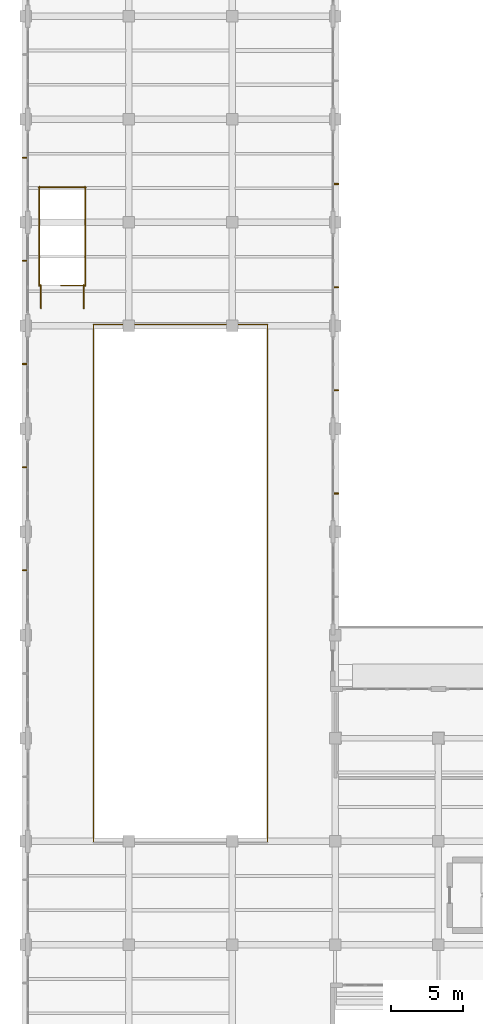
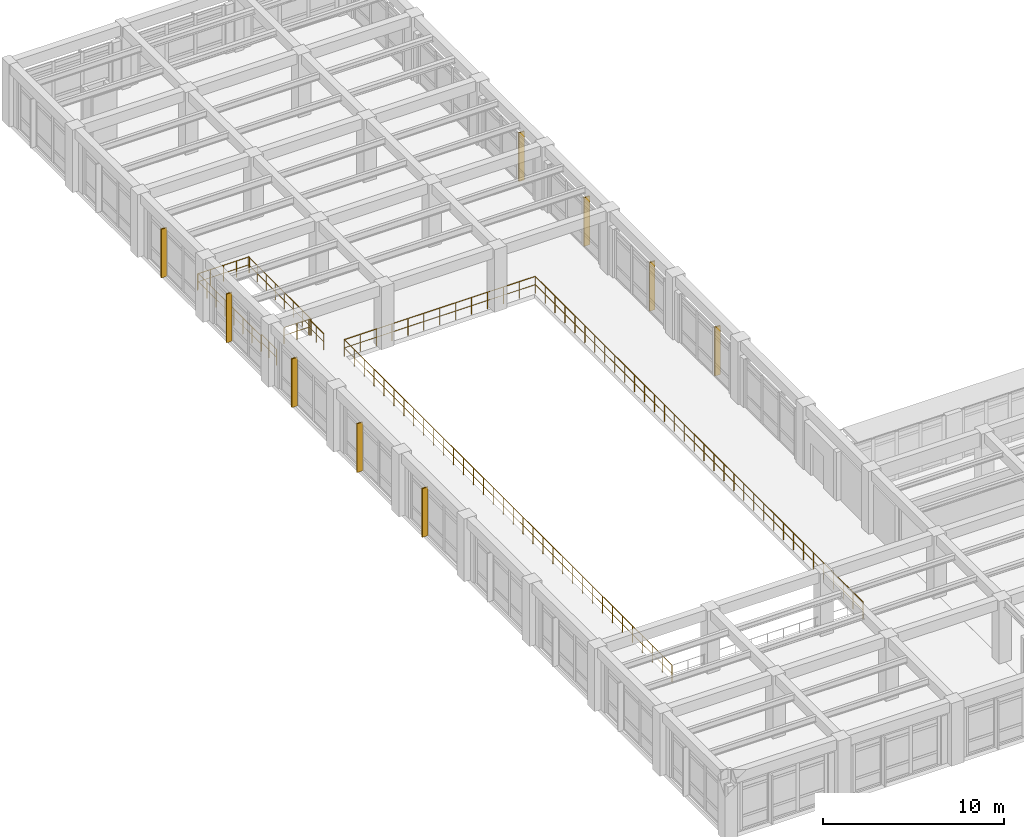
# One storey, part 58 of 67: 9 railings, 9 shading devices.
"""IFC4 building model written with IfcOpenShell, lengths in metres."""

from ifc_helpers import new_model, si_unit, direction, frame, origin, origin_2d, place, context, subcontext, project, spatial, rectangle, circle, extrude, material, material_profile, profile_set, type_object, element, save


model = new_model("IFC4")

# Units and contexts
model_context = context("Model", 3, precision=1e-05, world=origin(), true_north=direction((0.0, 1.0)))
body_context = subcontext(model_context, "Body", "Model", "MODEL_VIEW")
ifc_project = project(units=[si_unit("LENGTHUNIT", "METRE"), si_unit("AREAUNIT", "SQUARE_METRE"), si_unit("VOLUMEUNIT", "CUBIC_METRE"), si_unit("PLANEANGLEUNIT", "RADIAN"), si_unit("MASSUNIT", "GRAM", prefix="KILO")], contexts=[model_context])

# Site, building, storey
site_placement = place(None, origin())
site = spatial("IfcSite", under=ifc_project, at=site_placement, CompositionType="ELEMENT")
building_placement = place(site_placement, origin())
building = spatial("IfcBuilding", under=site, at=building_placement, Name="Solenvale Faculty of Natural Sciences", CompositionType="ELEMENT")
storey_placement = place(building_placement, frame((0.0, 0.0, 13.5)))
storey = spatial("IfcBuildingStorey", under=building, at=storey_placement, Name="L03", CompositionType="ELEMENT", Elevation=13.5)

# Railings
ifc_material_1 = material(Name="Stainless steel Grade 304", Category="steel")
railing_type = type_object("IfcRailingType", Name="RL-GRD-ATR-1150", PredefinedType="GUARDRAIL", material=ifc_material_1)
railing_1_placement = place(storey_placement, frame((40.10009765625, 67.60009765625, 0.0)))
element("IfcRailing", 1, at=railing_1_placement, inside=storey, type_object=railing_type, Name="L03 ST-06 top well guard 1", PredefinedType="GUARDRAIL", context=body_context, shape_type="SweptSolid", body=[
    extrude(circle(Radius=0.02392578125, at=origin_2d()), frame((0.0, 0.0, 1.09619140625), z_axis=(-1.0, 0.0, 0.0), x_axis=(0.0, -1.0, 0.0)), (0.0, 0.0, 1.0), 1.650146484375),
    extrude(circle(Radius=0.01611328125, at=origin_2d()), frame((0.0, 0.0, 0.56005859375), z_axis=(-1.0, 0.0, 0.0), x_axis=(0.0, -1.0, 0.0)), (0.0, 0.0, 1.0), 1.650146484375),
    extrude(circle(Radius=0.02099609375, at=origin_2d()), origin(), (0.0, 0.0, 1.0), 1.072021484375),
    extrude(circle(Radius=0.02099609375, at=origin_2d()), frame((-0.8251953125, 0.0, 0.0)), (0.0, 0.0, 1.0), 1.072021484375),
    extrude(circle(Radius=0.02099609375, at=origin_2d()), frame((-1.650146484375, 0.0, 0.0)), (0.0, 0.0, 1.0), 1.072021484375),
])
for number, where, name in (
    (2, (40.14990234375, 67.550048828125, 0.0), "L03 ST-06 top well guard 2"),
    (3, (36.949951171875, 67.550048828125, 0.0), "L03 ST-06 top well guard 3"),
):
    element("IfcRailing", number, at=place(storey_placement, frame(where)), inside=storey, type_object=railing_type, Name=name, PredefinedType="GUARDRAIL", context=body_context, shape_type="SweptSolid", body=[
        extrude(circle(Radius=0.02392578125, at=origin_2d()), frame((0.0, 0.0, 1.09619140625), z_axis=(0.0, 1.0, 0.0), x_axis=(-1.0, 0.0, 0.0)), (0.0, 0.0, 1.0), 6.949951171875),
        extrude(circle(Radius=0.01611328125, at=origin_2d()), frame((0.0, 0.0, 0.56005859375), z_axis=(0.0, 1.0, 0.0), x_axis=(-1.0, 0.0, 0.0)), (0.0, 0.0, 1.0), 6.949951171875),
        extrude(circle(Radius=0.02099609375, at=origin_2d()), origin(), (0.0, 0.0, 1.0), 1.072021484375),
        extrude(circle(Radius=0.02099609375, at=origin_2d()), frame((0.0, 0.992919921875, 0.0)), (0.0, 0.0, 1.0), 1.072021484375),
        extrude(circle(Radius=0.02099609375, at=origin_2d()), frame((0.0, 1.985595703125, 0.0)), (0.0, 0.0, 1.0), 1.072021484375),
        extrude(circle(Radius=0.02099609375, at=origin_2d()), frame((0.0, 2.978515625, 0.0)), (0.0, 0.0, 1.0), 1.072021484375),
        extrude(circle(Radius=0.02099609375, at=origin_2d()), frame((0.0, 3.971435546875, 0.0)), (0.0, 0.0, 1.0), 1.072021484375),
        extrude(circle(Radius=0.02099609375, at=origin_2d()), frame((0.0, 4.96435546875, 0.0)), (0.0, 0.0, 1.0), 1.072021484375),
        extrude(circle(Radius=0.02099609375, at=origin_2d()), frame((0.0, 5.95703125, 0.0)), (0.0, 0.0, 1.0), 1.072021484375),
        extrude(circle(Radius=0.02099609375, at=origin_2d()), frame((0.0, 6.949951171875, 0.0)), (0.0, 0.0, 1.0), 1.072021484375),
    ])
railing_2_placement = place(storey_placement, frame((40.199951171875, 74.449951171875, 0.0)))
element("IfcRailing", 4, at=railing_2_placement, inside=storey, type_object=railing_type, Name="L03 ST-06 top well guard 4", PredefinedType="GUARDRAIL", context=body_context, shape_type="SweptSolid", body=[
    extrude(circle(Radius=0.02392578125, at=origin_2d()), frame((0.0, 0.0, 1.09619140625), z_axis=(-1.0, 0.0, 0.0), x_axis=(0.0, -1.0, 0.0)), (0.0, 0.0, 1.0), 3.300048828125),
    extrude(circle(Radius=0.01611328125, at=origin_2d()), frame((0.0, 0.0, 0.56005859375), z_axis=(-1.0, 0.0, 0.0), x_axis=(0.0, -1.0, 0.0)), (0.0, 0.0, 1.0), 3.300048828125),
    extrude(circle(Radius=0.02099609375, at=origin_2d()), origin(), (0.0, 0.0, 1.0), 1.072021484375),
    extrude(circle(Radius=0.02099609375, at=origin_2d()), frame((-0.824951171875, 0.0, 0.0)), (0.0, 0.0, 1.0), 1.072021484375),
    extrude(circle(Radius=0.02099609375, at=origin_2d()), frame((-1.64990234375, 0.0, 0.0)), (0.0, 0.0, 1.0), 1.072021484375),
    extrude(circle(Radius=0.02099609375, at=origin_2d()), frame((-2.47509765625, 0.0, 0.0)), (0.0, 0.0, 1.0), 1.072021484375),
    extrude(circle(Radius=0.02099609375, at=origin_2d()), frame((-3.300048828125, 0.0, 0.0)), (0.0, 0.0, 1.0), 1.072021484375),
])
for number, where, name in (
    (5, (40.050048828125, 66.0, 0.0), "L03 ST-06 top well guard 5"),
    (6, (37.050048828125, 66.0, 0.0), "L03 ST-06 top well guard 6"),
):
    element("IfcRailing", number, at=place(storey_placement, frame(where)), inside=storey, type_object=railing_type, Name=name, PredefinedType="GUARDRAIL", context=body_context, shape_type="SweptSolid", body=[
        extrude(circle(Radius=0.02392578125, at=origin_2d()), frame((0.0, 0.0, 1.09619140625), z_axis=(0.0, 1.0, 0.0), x_axis=(-1.0, 0.0, 0.0)), (0.0, 0.0, 1.0), 1.64990234375),
        extrude(circle(Radius=0.01611328125, at=origin_2d()), frame((0.0, 0.0, 0.56005859375), z_axis=(0.0, 1.0, 0.0), x_axis=(-1.0, 0.0, 0.0)), (0.0, 0.0, 1.0), 1.64990234375),
        extrude(circle(Radius=0.02099609375, at=origin_2d()), origin(), (0.0, 0.0, 1.0), 1.072021484375),
        extrude(circle(Radius=0.02099609375, at=origin_2d()), frame((0.0, 0.824951171875, 0.0)), (0.0, 0.0, 1.0), 1.072021484375),
        extrude(circle(Radius=0.02099609375, at=origin_2d()), frame((0.0, 1.64990234375, 0.0)), (0.0, 0.0, 1.0), 1.072021484375),
    ])
railing_3_placement = place(storey_placement, frame((52.8798828125, 28.719970703125, 0.0)))
element("IfcRailing", 7, at=railing_3_placement, inside=storey, type_object=railing_type, Name="L03 Atrium Gallery Guardrail E", PredefinedType="GUARDRAIL", context=body_context, shape_type="SweptSolid", body=[
    extrude(circle(Radius=0.02392578125, at=origin_2d()), frame((0.0, 0.0, 1.1357421875), z_axis=(0.0, 1.0, 0.0), x_axis=(-1.0, 0.0, 0.0)), (0.0, 0.0, 1.0), 36.159912109375),
    extrude(circle(Radius=0.01611328125, at=origin_2d()), frame((0.0, 0.0, 0.580078125), z_axis=(0.0, 1.0, 0.0), x_axis=(-1.0, 0.0, 0.0)), (0.0, 0.0, 1.0), 36.159912109375),
    extrude(circle(Radius=0.02099609375, at=origin_2d()), origin(), (0.0, 0.0, 1.0), 1.11181640625),
    extrude(circle(Radius=0.02099609375, at=origin_2d()), frame((0.0, 1.095703125, 0.0)), (0.0, 0.0, 1.0), 1.11181640625),
    extrude(circle(Radius=0.02099609375, at=origin_2d()), frame((0.0, 2.19140625, 0.0)), (0.0, 0.0, 1.0), 1.11181640625),
    extrude(circle(Radius=0.02099609375, at=origin_2d()), frame((0.0, 3.287353515625, 0.0)), (0.0, 0.0, 1.0), 1.11181640625),
    extrude(circle(Radius=0.02099609375, at=origin_2d()), frame((0.0, 4.383056640625, 0.0)), (0.0, 0.0, 1.0), 1.11181640625),
    extrude(circle(Radius=0.02099609375, at=origin_2d()), frame((0.0, 5.478759765625, 0.0)), (0.0, 0.0, 1.0), 1.11181640625),
    extrude(circle(Radius=0.02099609375, at=origin_2d()), frame((0.0, 6.574462890625, 0.0)), (0.0, 0.0, 1.0), 1.11181640625),
    extrude(circle(Radius=0.02099609375, at=origin_2d()), frame((0.0, 7.670166015625, 0.0)), (0.0, 0.0, 1.0), 1.11181640625),
    extrude(circle(Radius=0.02099609375, at=origin_2d()), frame((0.0, 8.76611328125, 0.0)), (0.0, 0.0, 1.0), 1.11181640625),
    extrude(circle(Radius=0.02099609375, at=origin_2d()), frame((0.0, 9.86181640625, 0.0)), (0.0, 0.0, 1.0), 1.11181640625),
    extrude(circle(Radius=0.02099609375, at=origin_2d()), frame((0.0, 10.95751953125, 0.0)), (0.0, 0.0, 1.0), 1.11181640625),
    extrude(circle(Radius=0.02099609375, at=origin_2d()), frame((0.0, 12.05322265625, 0.0)), (0.0, 0.0, 1.0), 1.11181640625),
    extrude(circle(Radius=0.02099609375, at=origin_2d()), frame((0.0, 13.149169921875, 0.0)), (0.0, 0.0, 1.0), 1.11181640625),
    extrude(circle(Radius=0.02099609375, at=origin_2d()), frame((0.0, 14.244873046875, 0.0)), (0.0, 0.0, 1.0), 1.11181640625),
    extrude(circle(Radius=0.02099609375, at=origin_2d()), frame((0.0, 15.340576171875, 0.0)), (0.0, 0.0, 1.0), 1.11181640625),
    extrude(circle(Radius=0.02099609375, at=origin_2d()), frame((0.0, 16.436279296875, 0.0)), (0.0, 0.0, 1.0), 1.11181640625),
    extrude(circle(Radius=0.02099609375, at=origin_2d()), frame((0.0, 17.531982421875, 0.0)), (0.0, 0.0, 1.0), 1.11181640625),
    extrude(circle(Radius=0.02099609375, at=origin_2d()), frame((0.0, 18.6279296875, 0.0)), (0.0, 0.0, 1.0), 1.11181640625),
    extrude(circle(Radius=0.02099609375, at=origin_2d()), frame((0.0, 19.7236328125, 0.0)), (0.0, 0.0, 1.0), 1.11181640625),
    extrude(circle(Radius=0.02099609375, at=origin_2d()), frame((0.0, 20.8193359375, 0.0)), (0.0, 0.0, 1.0), 1.11181640625),
    extrude(circle(Radius=0.02099609375, at=origin_2d()), frame((0.0, 21.9150390625, 0.0)), (0.0, 0.0, 1.0), 1.11181640625),
    extrude(circle(Radius=0.02099609375, at=origin_2d()), frame((0.0, 23.0107421875, 0.0)), (0.0, 0.0, 1.0), 1.11181640625),
    extrude(circle(Radius=0.02099609375, at=origin_2d()), frame((0.0, 24.106689453125, 0.0)), (0.0, 0.0, 1.0), 1.11181640625),
    extrude(circle(Radius=0.02099609375, at=origin_2d()), frame((0.0, 25.202392578125, 0.0)), (0.0, 0.0, 1.0), 1.11181640625),
    extrude(circle(Radius=0.02099609375, at=origin_2d()), frame((0.0, 26.298095703125, 0.0)), (0.0, 0.0, 1.0), 1.11181640625),
    extrude(circle(Radius=0.02099609375, at=origin_2d()), frame((0.0, 27.393798828125, 0.0)), (0.0, 0.0, 1.0), 1.11181640625),
    extrude(circle(Radius=0.02099609375, at=origin_2d()), frame((0.0, 28.48974609375, 0.0)), (0.0, 0.0, 1.0), 1.11181640625),
    extrude(circle(Radius=0.02099609375, at=origin_2d()), frame((0.0, 29.58544921875, 0.0)), (0.0, 0.0, 1.0), 1.11181640625),
    extrude(circle(Radius=0.02099609375, at=origin_2d()), frame((0.0, 30.68115234375, 0.0)), (0.0, 0.0, 1.0), 1.11181640625),
    extrude(circle(Radius=0.02099609375, at=origin_2d()), frame((0.0, 31.77685546875, 0.0)), (0.0, 0.0, 1.0), 1.11181640625),
    extrude(circle(Radius=0.02099609375, at=origin_2d()), frame((0.0, 32.87255859375, 0.0)), (0.0, 0.0, 1.0), 1.11181640625),
    extrude(circle(Radius=0.02099609375, at=origin_2d()), frame((0.0, 33.968505859375, 0.0)), (0.0, 0.0, 1.0), 1.11181640625),
    extrude(circle(Radius=0.02099609375, at=origin_2d()), frame((0.0, 35.064208984375, 0.0)), (0.0, 0.0, 1.0), 1.11181640625),
    extrude(circle(Radius=0.02099609375, at=origin_2d()), frame((0.0, 36.159912109375, 0.0)), (0.0, 0.0, 1.0), 1.11181640625),
])
railing_4_placement = place(storey_placement, frame((52.8798828125, 64.8798828125, 0.0)))
element("IfcRailing", 8, at=railing_4_placement, inside=storey, type_object=railing_type, Name="L03 Atrium Gallery Guardrail N", PredefinedType="GUARDRAIL", context=body_context, shape_type="SweptSolid", body=[
    extrude(circle(Radius=0.02392578125, at=origin_2d()), frame((0.0, 0.0, 1.1357421875), z_axis=(-1.0, 0.0, 0.0), x_axis=(0.0, -1.0, 0.0)), (0.0, 0.0, 1.0), 12.159912109375),
    extrude(circle(Radius=0.01611328125, at=origin_2d()), frame((0.0, 0.0, 0.580078125), z_axis=(-1.0, 0.0, 0.0), x_axis=(0.0, -1.0, 0.0)), (0.0, 0.0, 1.0), 12.159912109375),
    extrude(circle(Radius=0.02099609375, at=origin_2d()), origin(), (0.0, 0.0, 1.0), 1.11181640625),
    extrude(circle(Radius=0.02099609375, at=origin_2d()), frame((-1.013427734375, 0.0, 0.0)), (0.0, 0.0, 1.0), 1.11181640625),
    extrude(circle(Radius=0.02099609375, at=origin_2d()), frame((-2.026611328125, 0.0, 0.0)), (0.0, 0.0, 1.0), 1.11181640625),
    extrude(circle(Radius=0.02099609375, at=origin_2d()), frame((-3.0400390625, 0.0, 0.0)), (0.0, 0.0, 1.0), 1.11181640625),
    extrude(circle(Radius=0.02099609375, at=origin_2d()), frame((-4.05322265625, 0.0, 0.0)), (0.0, 0.0, 1.0), 1.11181640625),
    extrude(circle(Radius=0.02099609375, at=origin_2d()), frame((-5.066650390625, 0.0, 0.0)), (0.0, 0.0, 1.0), 1.11181640625),
    extrude(circle(Radius=0.02099609375, at=origin_2d()), frame((-6.080078125, 0.0, 0.0)), (0.0, 0.0, 1.0), 1.11181640625),
    extrude(circle(Radius=0.02099609375, at=origin_2d()), frame((-7.09326171875, 0.0, 0.0)), (0.0, 0.0, 1.0), 1.11181640625),
    extrude(circle(Radius=0.02099609375, at=origin_2d()), frame((-8.106689453125, 0.0, 0.0)), (0.0, 0.0, 1.0), 1.11181640625),
    extrude(circle(Radius=0.02099609375, at=origin_2d()), frame((-9.119873046875, 0.0, 0.0)), (0.0, 0.0, 1.0), 1.11181640625),
    extrude(circle(Radius=0.02099609375, at=origin_2d()), frame((-10.13330078125, 0.0, 0.0)), (0.0, 0.0, 1.0), 1.11181640625),
    extrude(circle(Radius=0.02099609375, at=origin_2d()), frame((-11.146484375, 0.0, 0.0)), (0.0, 0.0, 1.0), 1.11181640625),
    extrude(circle(Radius=0.02099609375, at=origin_2d()), frame((-12.159912109375, 0.0, 0.0)), (0.0, 0.0, 1.0), 1.11181640625),
])
railing_5_placement = place(storey_placement, frame((40.719970703125, 64.8798828125, 0.0)))
element("IfcRailing", 9, at=railing_5_placement, inside=storey, type_object=railing_type, Name="L03 Atrium Gallery Guardrail W", PredefinedType="GUARDRAIL", context=body_context, shape_type="SweptSolid", body=[
    extrude(circle(Radius=0.02392578125, at=origin_2d()), frame((0.0, 0.0, 1.1357421875), z_axis=(0.0, -1.0, 0.0), x_axis=(1.0, 0.0, 0.0)), (0.0, 0.0, 1.0), 36.159912109375),
    extrude(circle(Radius=0.01611328125, at=origin_2d()), frame((0.0, 0.0, 0.580078125), z_axis=(0.0, -1.0, 0.0), x_axis=(1.0, 0.0, 0.0)), (0.0, 0.0, 1.0), 36.159912109375),
    extrude(circle(Radius=0.02099609375, at=origin_2d()), origin(), (0.0, 0.0, 1.0), 1.11181640625),
    extrude(circle(Radius=0.02099609375, at=origin_2d()), frame((0.0, -1.095703125, 0.0)), (0.0, 0.0, 1.0), 1.11181640625),
    extrude(circle(Radius=0.02099609375, at=origin_2d()), frame((0.0, -2.19140625, 0.0)), (0.0, 0.0, 1.0), 1.11181640625),
    extrude(circle(Radius=0.02099609375, at=origin_2d()), frame((0.0, -3.287353515625, 0.0)), (0.0, 0.0, 1.0), 1.11181640625),
    extrude(circle(Radius=0.02099609375, at=origin_2d()), frame((0.0, -4.383056640625, 0.0)), (0.0, 0.0, 1.0), 1.11181640625),
    extrude(circle(Radius=0.02099609375, at=origin_2d()), frame((0.0, -5.478759765625, 0.0)), (0.0, 0.0, 1.0), 1.11181640625),
    extrude(circle(Radius=0.02099609375, at=origin_2d()), frame((0.0, -6.574462890625, 0.0)), (0.0, 0.0, 1.0), 1.11181640625),
    extrude(circle(Radius=0.02099609375, at=origin_2d()), frame((0.0, -7.670166015625, 0.0)), (0.0, 0.0, 1.0), 1.11181640625),
    extrude(circle(Radius=0.02099609375, at=origin_2d()), frame((0.0, -8.76611328125, 0.0)), (0.0, 0.0, 1.0), 1.11181640625),
    extrude(circle(Radius=0.02099609375, at=origin_2d()), frame((0.0, -9.86181640625, 0.0)), (0.0, 0.0, 1.0), 1.11181640625),
    extrude(circle(Radius=0.02099609375, at=origin_2d()), frame((0.0, -10.95751953125, 0.0)), (0.0, 0.0, 1.0), 1.11181640625),
    extrude(circle(Radius=0.02099609375, at=origin_2d()), frame((0.0, -12.05322265625, 0.0)), (0.0, 0.0, 1.0), 1.11181640625),
    extrude(circle(Radius=0.02099609375, at=origin_2d()), frame((0.0, -13.149169921875, 0.0)), (0.0, 0.0, 1.0), 1.11181640625),
    extrude(circle(Radius=0.02099609375, at=origin_2d()), frame((0.0, -14.244873046875, 0.0)), (0.0, 0.0, 1.0), 1.11181640625),
    extrude(circle(Radius=0.02099609375, at=origin_2d()), frame((0.0, -15.340576171875, 0.0)), (0.0, 0.0, 1.0), 1.11181640625),
    extrude(circle(Radius=0.02099609375, at=origin_2d()), frame((0.0, -16.436279296875, 0.0)), (0.0, 0.0, 1.0), 1.11181640625),
    extrude(circle(Radius=0.02099609375, at=origin_2d()), frame((0.0, -17.531982421875, 0.0)), (0.0, 0.0, 1.0), 1.11181640625),
    extrude(circle(Radius=0.02099609375, at=origin_2d()), frame((0.0, -18.6279296875, 0.0)), (0.0, 0.0, 1.0), 1.11181640625),
    extrude(circle(Radius=0.02099609375, at=origin_2d()), frame((0.0, -19.7236328125, 0.0)), (0.0, 0.0, 1.0), 1.11181640625),
    extrude(circle(Radius=0.02099609375, at=origin_2d()), frame((0.0, -20.8193359375, 0.0)), (0.0, 0.0, 1.0), 1.11181640625),
    extrude(circle(Radius=0.02099609375, at=origin_2d()), frame((0.0, -21.9150390625, 0.0)), (0.0, 0.0, 1.0), 1.11181640625),
    extrude(circle(Radius=0.02099609375, at=origin_2d()), frame((0.0, -23.0107421875, 0.0)), (0.0, 0.0, 1.0), 1.11181640625),
    extrude(circle(Radius=0.02099609375, at=origin_2d()), frame((0.0, -24.106689453125, 0.0)), (0.0, 0.0, 1.0), 1.11181640625),
    extrude(circle(Radius=0.02099609375, at=origin_2d()), frame((0.0, -25.202392578125, 0.0)), (0.0, 0.0, 1.0), 1.11181640625),
    extrude(circle(Radius=0.02099609375, at=origin_2d()), frame((0.0, -26.298095703125, 0.0)), (0.0, 0.0, 1.0), 1.11181640625),
    extrude(circle(Radius=0.02099609375, at=origin_2d()), frame((0.0, -27.393798828125, 0.0)), (0.0, 0.0, 1.0), 1.11181640625),
    extrude(circle(Radius=0.02099609375, at=origin_2d()), frame((0.0, -28.48974609375, 0.0)), (0.0, 0.0, 1.0), 1.11181640625),
    extrude(circle(Radius=0.02099609375, at=origin_2d()), frame((0.0, -29.58544921875, 0.0)), (0.0, 0.0, 1.0), 1.11181640625),
    extrude(circle(Radius=0.02099609375, at=origin_2d()), frame((0.0, -30.68115234375, 0.0)), (0.0, 0.0, 1.0), 1.11181640625),
    extrude(circle(Radius=0.02099609375, at=origin_2d()), frame((0.0, -31.77685546875, 0.0)), (0.0, 0.0, 1.0), 1.11181640625),
    extrude(circle(Radius=0.02099609375, at=origin_2d()), frame((0.0, -32.87255859375, 0.0)), (0.0, 0.0, 1.0), 1.11181640625),
    extrude(circle(Radius=0.02099609375, at=origin_2d()), frame((0.0, -33.968505859375, 0.0)), (0.0, 0.0, 1.0), 1.11181640625),
    extrude(circle(Radius=0.02099609375, at=origin_2d()), frame((0.0, -35.064208984375, 0.0)), (0.0, 0.0, 1.0), 1.11181640625),
    extrude(circle(Radius=0.02099609375, at=origin_2d()), frame((0.0, -36.159912109375, 0.0)), (0.0, 0.0, 1.0), 1.11181640625),
])

# Shading devices
ifc_material_2 = material(Name="Anodised bronze aluminium", Category="aluminium")
ifc_material_profile = material_profile(ifc_material_2, rectangle(XDim=0.080078125, YDim=0.360107421875, at=origin_2d()), Name="ALU-FIN-80x360")
ifc_profile_set = profile_set([ifc_material_profile], Name="Anodised bronze aluminium")
shading_device_type = type_object("IfcShadingDeviceType", Name="SHD-FIN-360", PredefinedType="JALOUSIE", material=ifc_profile_set)
for number, where, z_axis, x_axis, name in (
    (10, (57.659912109375, 53.083251953125, -0.02001953125), (0.0, 0.0, 1.0), (0.0, 1.0, 0.0), "L03 Vertical Brise-Soleil Fin 1.3"),
    (11, (57.659912109375, 60.283447265625, -0.02001953125), (0.0, 0.0, 1.0), (0.0, 1.0, 0.0), "L03 Vertical Brise-Soleil Fin 1.4"),
    (12, (57.659912109375, 67.4833984375, -0.02001953125), (0.0, 0.0, 1.0), (0.0, 1.0, 0.0), "L03 Vertical Brise-Soleil Fin 1.5"),
    (13, (57.659912109375, 74.683349609375, -0.02001953125), (0.0, 0.0, 1.0), (0.0, 1.0, 0.0), "L03 Vertical Brise-Soleil Fin 1.6"),
    (14, (35.93994140625, 76.5166015625, -0.02001953125), (0.0, 0.0, 1.0), (0.0, 1.0, 0.0), "L03 Vertical Brise-Soleil Fin 3.3"),
    (15, (35.93994140625, 69.316650390625, -0.02001953125), (0.0, 0.0, 1.0), (0.0, 1.0, 0.0), "L03 Vertical Brise-Soleil Fin 3.4"),
    (16, (35.93994140625, 62.11669921875, -0.02001953125), (0.0, 0.0, 1.0), (0.0, 1.0, 0.0), "L03 Vertical Brise-Soleil Fin 3.5"),
    (17, (35.93994140625, 54.916748046875, -0.02001953125), (0.0, 0.0, 1.0), (0.0, 1.0, 0.0), "L03 Vertical Brise-Soleil Fin 3.6"),
    (18, (35.93994140625, 47.716552734375, -0.02001953125), (0.0, 0.0, 1.0), (0.0, 1.0, 0.0), "L03 Vertical Brise-Soleil Fin 3.7"),
):
    element("IfcShadingDevice", number, at=place(storey_placement, frame(where, z_axis=z_axis, x_axis=x_axis)), inside=storey, type_object=shading_device_type, Name=name, PredefinedType="JALOUSIE", context=body_context, shape_type="SweptSolid", body=[
        extrude(rectangle(XDim=0.080078125, YDim=0.360107421875, at=origin_2d()), origin(), (0.0, 0.0, 1.0), 3.280029296875),
    ])

save(model, "model.ifc")
